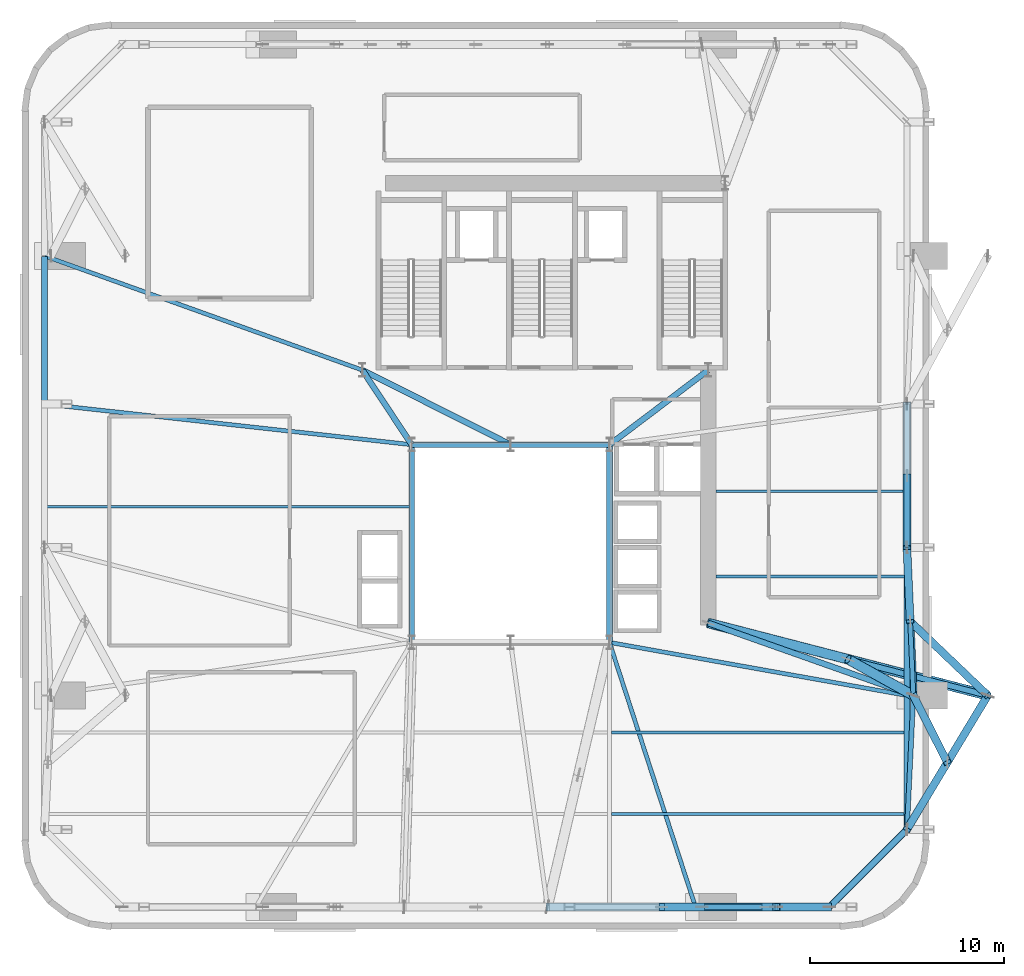
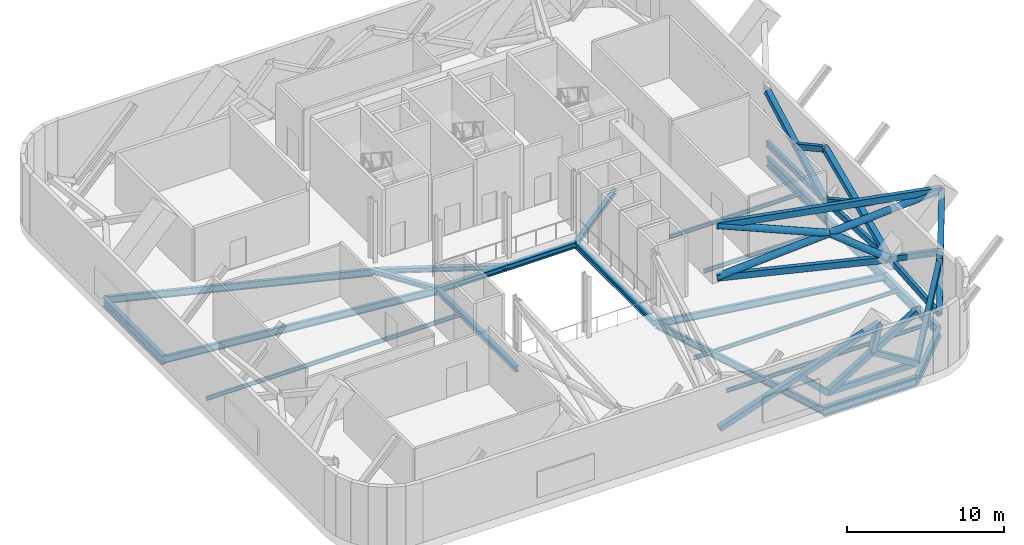
# One storey, part 4 of 14: 23 members, 22 beams.
"""IFC4 building model written with IfcOpenShell, lengths in metres."""

from ifc_helpers import new_model, si_unit, direction, frame, origin, origin_2d, place, context, subcontext, project, spatial, hollow_rectangle, hollow_circle, i_section, extrude, source, transform, mapped, material, material_profile, profile_set, type_object, element, save


model = new_model("IFC4")

# Units and contexts
model_context = context("Model", 3, precision=1e-05, world=origin(), true_north=direction((0.0, 1.0)))
body_context = subcontext(model_context, "Body", "Model", "MODEL_VIEW")
ifc_project = project(units=[si_unit("LENGTHUNIT", "METRE"), si_unit("AREAUNIT", "SQUARE_METRE"), si_unit("VOLUMEUNIT", "CUBIC_METRE"), si_unit("PLANEANGLEUNIT", "RADIAN"), si_unit("MASSUNIT", "GRAM", prefix="KILO")], contexts=[model_context])

# Site, building, storey
site_placement = place(None, origin())
site = spatial("IfcSite", under=ifc_project, at=site_placement, CompositionType="ELEMENT")
building_placement = place(site_placement, origin())
building = spatial("IfcBuilding", under=site, at=building_placement, Name="Vardaveli Station Tower", CompositionType="ELEMENT")
storey_placement = place(building_placement, frame((0.0, 0.0, 237.300048828125)))
storey = spatial("IfcBuildingStorey", under=building, at=storey_placement, Name="L61", CompositionType="ELEMENT", Elevation=237.300048828125)

# Beams
ifc_material_1 = material(Name="Structural steel S355J2", Category="steel")
ifc_material_profile_1 = material_profile(ifc_material_1, i_section(OverallWidth=0.300048828125, OverallDepth=0.449951171875, WebThickness=0.013916015625, FlangeThickness=0.02587890625, FilletRadius=0.027099609375, at=origin_2d()), Name="HEB 450")
ifc_profile_set_1 = profile_set([ifc_material_profile_1], Name="Structural steel S355J2")
beam_type_1 = type_object("IfcBeamType", Name="BM-HEB450", PredefinedType="BEAM", material=ifc_profile_set_1)
shared_shape_1 = source(origin(), body_context, "Body", "SweptSolid", [
    extrude(i_section(OverallWidth=0.300048828125, OverallDepth=0.449951171875, WebThickness=0.013916015625, FlangeThickness=0.02587890625, FilletRadius=0.027099609375, at=origin_2d()), origin(), (0.0, 0.0, 1.0), 5.06005859375),
])
beam_1_placement = place(storey_placement, frame((36.280029296875, 26.800048828125, -0.875), z_axis=(-1.0, 0.0, 0.0), x_axis=(0.0, -1.0, 0.0)))
element("IfcBeam", 1, at=beam_1_placement, inside=storey, type_object=beam_type_1, Name="ABM-L61-05", PredefinedType="BEAM", context=body_context, shape_type="MappedRepresentation", body=[
    mapped(shared_shape_1, transform((0.0, 0.0, 0.0), scale=1.0)),
])
shared_shape_2 = source(origin(), body_context, "Body", "SweptSolid", [
    extrude(i_section(OverallWidth=0.300048828125, OverallDepth=0.449951171875, WebThickness=0.013916015625, FlangeThickness=0.02587890625, FilletRadius=0.027099609375, at=origin_2d()), origin(), (0.0, 0.0, 1.0), 5.059814453125),
])
beam_2_placement = place(storey_placement, frame((41.3798828125, 26.800048828125, -0.875), z_axis=(-1.0, 0.0, 0.0), x_axis=(0.0, -1.0, 0.0)))
element("IfcBeam", 2, at=beam_2_placement, inside=storey, type_object=beam_type_1, Name="ABM-L61-04", PredefinedType="BEAM", context=body_context, shape_type="MappedRepresentation", body=[
    mapped(shared_shape_2, transform((0.0, 0.0, 0.0), scale=1.0)),
])
shared_shape_3 = source(origin(), body_context, "Body", "SweptSolid", [
    extrude(i_section(OverallWidth=0.300048828125, OverallDepth=0.449951171875, WebThickness=0.013916015625, FlangeThickness=0.02587890625, FilletRadius=0.027099609375, at=origin_2d()), origin(), (0.0, 0.0, 1.0), 10.159912109375),
])
for number, where, z_axis, x_axis, name in (
    (3, (41.39990234375, 16.6201171875, -0.875), (0.0, 1.0, 0.0), (-1.0, 0.0, 0.0), "ABM-L61-03"),
    (4, (31.199951171875, 26.780029296875, -0.875), (0.0, -1.0, 0.0), (1.0, 0.0, 0.0), "ABM-L61-06"),
):
    element("IfcBeam", number, at=place(storey_placement, frame(where, z_axis=z_axis, x_axis=x_axis)), inside=storey, type_object=beam_type_1, Name=name, PredefinedType="BEAM", context=body_context, shape_type="MappedRepresentation", body=[
        mapped(shared_shape_3, transform((0.0, 0.0, 0.0), scale=1.0)),
    ])
ifc_material_profile_2 = material_profile(ifc_material_1, i_section(OverallWidth=0.300048828125, OverallDepth=0.360107421875, WebThickness=0.012451171875, FlangeThickness=0.0224609375, FilletRadius=0.027099609375, at=origin_2d()), Name="HEB 360")
ifc_profile_set_2 = profile_set([ifc_material_profile_2], Name="Structural steel S355J2")
beam_type_2 = type_object("IfcBeamType", Name="BM-HEB360", PredefinedType="BEAM", material=ifc_profile_set_2)
shared_shape_4 = source(origin(), body_context, "Body", "SweptSolid", [
    extrude(i_section(OverallWidth=0.300048828125, OverallDepth=0.360107421875, WebThickness=0.012451171875, FlangeThickness=0.0224609375, FilletRadius=0.027099609375, at=origin_2d()), origin(), (0.0, 0.0, 1.0), 4.577880859375),
])
beam_3_placement = place(storey_placement, frame((31.18896484375, 26.816650390625, -0.830078125), z_axis=(-0.55218702139, 0.833720272879, 0.0), x_axis=(-0.833720272879, -0.55218702139, 0.0)))
element("IfcBeam", 5, at=beam_3_placement, inside=storey, type_object=beam_type_2, Name="CBM-L61-01", PredefinedType="BEAM", context=body_context, shape_type="MappedRepresentation", body=[
    mapped(shared_shape_4, transform((0.0, 0.0, 0.0), scale=1.0)),
])
shared_shape_5 = source(origin(), body_context, "Body", "SweptSolid", [
    extrude(i_section(OverallWidth=0.300048828125, OverallDepth=0.360107421875, WebThickness=0.012451171875, FlangeThickness=0.0224609375, FilletRadius=0.027099609375, at=origin_2d()), origin(), (0.0, 0.0, 1.0), 6.35009765625),
])
beam_4_placement = place(storey_placement, frame((41.416015625, 26.81201171875, -0.830078125), z_axis=(0.798118337722, 0.602500721154, 0.0), x_axis=(-0.602500721154, 0.798118337722, 0.0)))
element("IfcBeam", 6, at=beam_4_placement, inside=storey, type_object=beam_type_2, Name="CBM-L61-02", PredefinedType="BEAM", context=body_context, shape_type="MappedRepresentation", body=[
    mapped(shared_shape_5, transform((0.0, 0.0, 0.0), scale=1.0)),
])
shared_shape_6 = source(origin(), body_context, "Body", "SweptSolid", [
    extrude(i_section(OverallWidth=0.300048828125, OverallDepth=0.360107421875, WebThickness=0.012451171875, FlangeThickness=0.0224609375, FilletRadius=0.027099609375, at=origin_2d()), origin(), (0.0, 0.0, 1.0), 8.524169921875),
])
beam_5_placement = place(storey_placement, frame((28.66796875, 30.64111328125, -0.830078125), z_axis=(0.893255584708, -0.449549174605, 0.0), x_axis=(0.449549174605, 0.893255584708, 0.0)))
element("IfcBeam", 7, at=beam_5_placement, inside=storey, type_object=beam_type_2, Name="CBM-L61-03", PredefinedType="BEAM", context=body_context, shape_type="MappedRepresentation", body=[
    mapped(shared_shape_6, transform((0.0, 0.0, 0.0), scale=1.0)),
])
ifc_material_2 = material(Name="Structural steel S460M", Category="steel")
ifc_material_profile_3 = material_profile(ifc_material_2, i_section(OverallWidth=0.303955078125, OverallDepth=0.716064453125, WebThickness=0.02099609375, FlangeThickness=0.0400390625, FilletRadius=0.027099609375, at=origin_2d()), Name="HEM 700")
ifc_profile_set_3 = profile_set([ifc_material_profile_3], Name="Structural steel S460M")
beam_type_3 = type_object("IfcBeamType", Name="BM-HEM700", PredefinedType="BEAM", material=ifc_profile_set_3)
shared_shape_7 = source(origin(), body_context, "Body", "SweptSolid", [
    extrude(i_section(OverallWidth=0.303955078125, OverallDepth=0.716064453125, WebThickness=0.02099609375, FlangeThickness=0.0400390625, FilletRadius=0.027099609375, at=origin_2d()), origin(), (0.0, 0.0, 1.0), 7.60009765625),
])
for number, where, z_axis, x_axis, name in (
    (8, (56.75, 13.8798828125, -1.008056640625), (0.0, 1.0, 0.0), (-1.0, 0.0, 0.0), "RBM-L61-07"),
    (9, (12.25, 36.52001953125, -1.008056640625), (0.0, -1.0, 0.0), (1.0, 0.0, 0.0), "RBM-L61-19"),
):
    element("IfcBeam", number, at=place(storey_placement, frame(where, z_axis=z_axis, x_axis=x_axis)), inside=storey, type_object=beam_type_3, Name=name, PredefinedType="BEAM", context=body_context, shape_type="MappedRepresentation", body=[
        mapped(shared_shape_7, transform((0.0, 0.0, 0.0), scale=1.0)),
    ])
shared_shape_8 = source(origin(), body_context, "Body", "SweptSolid", [
    extrude(i_section(OverallWidth=0.303955078125, OverallDepth=0.716064453125, WebThickness=0.02099609375, FlangeThickness=0.0400390625, FilletRadius=0.027099609375, at=origin_2d()), origin(), (0.0, 0.0, 1.0), 7.35986328125),
])
beam_6_placement = place(storey_placement, frame((56.75, 21.52001953125, -1.008056640625), z_axis=(0.0, 1.0, 0.0), x_axis=(-1.0, 0.0, 0.0)))
element("IfcBeam", 10, at=beam_6_placement, inside=storey, type_object=beam_type_3, Name="RBM-L61-08", PredefinedType="BEAM", context=body_context, shape_type="MappedRepresentation", body=[
    mapped(shared_shape_8, transform((0.0, 0.0, 0.0), scale=1.0)),
])
shared_shape_9 = source(origin(), body_context, "Body", "SweptSolid", [
    extrude(i_section(OverallWidth=0.303955078125, OverallDepth=0.716064453125, WebThickness=0.02099609375, FlangeThickness=0.0400390625, FilletRadius=0.027099609375, at=origin_2d()), origin(), (0.0, 0.0, 1.0), 6.869873046875),
])
beam_7_placement = place(storey_placement, frame((45.860107421875, 2.949951171875, -1.008056640625), z_axis=(1.0, 0.0, 0.0), x_axis=(0.0, 1.0, 0.0)))
element("IfcBeam", 11, at=beam_7_placement, inside=storey, type_object=beam_type_3, Name="RBM-L61-04", PredefinedType="BEAM", context=body_context, shape_type="MappedRepresentation", body=[
    mapped(shared_shape_9, transform((0.0, 0.0, 0.0), scale=1.0)),
])
shared_shape_10 = source(origin(), body_context, "Body", "SweptSolid", [
    extrude(i_section(OverallWidth=0.303955078125, OverallDepth=0.716064453125, WebThickness=0.02099609375, FlangeThickness=0.0400390625, FilletRadius=0.027099609375, at=origin_2d()), origin(), (0.0, 0.0, 1.0), 5.61669921875),
])
beam_8_placement = place(storey_placement, frame((52.76416015625, 2.964111328125, -1.008056640625), z_axis=(0.707106781187, 0.707106781187, 0.0), x_axis=(-0.707106781187, 0.707106781187, 0.0)))
element("IfcBeam", 12, at=beam_8_placement, inside=storey, type_object=beam_type_3, Name="RBM-L61-05", PredefinedType="BEAM", context=body_context, shape_type="MappedRepresentation", body=[
    mapped(shared_shape_10, transform((0.0, 0.0, 0.0), scale=1.0)),
])
shared_shape_11 = source(origin(), body_context, "Body", "SweptSolid", [
    extrude(i_section(OverallWidth=0.303955078125, OverallDepth=0.716064453125, WebThickness=0.02099609375, FlangeThickness=0.0400390625, FilletRadius=0.027099609375, at=origin_2d()), origin(), (0.0, 0.0, 1.0), 6.8701171875),
])
beam_9_placement = place(storey_placement, frame((56.75, 6.969970703125, -1.008056640625), z_axis=(0.0, 1.0, 0.0), x_axis=(-1.0, 0.0, 0.0)))
element("IfcBeam", 13, at=beam_9_placement, inside=storey, type_object=beam_type_3, Name="RBM-L61-06", PredefinedType="BEAM", context=body_context, shape_type="MappedRepresentation", body=[
    mapped(shared_shape_11, transform((0.0, 0.0, 0.0), scale=1.0)),
])
ifc_material_profile_4 = material_profile(ifc_material_1, i_section(OverallWidth=0.2099609375, OverallDepth=0.550048828125, WebThickness=0.010986328125, FlangeThickness=0.01708984375, FilletRadius=0.02392578125, at=origin_2d()), Name="IPE 550")
ifc_profile_set_4 = profile_set([ifc_material_profile_4], Name="Structural steel S355J2")
beam_type_4 = type_object("IfcBeamType", Name="BM-IPE550", PredefinedType="BEAM", material=ifc_profile_set_4)
shared_shape_12 = source(origin(), body_context, "Body", "SweptSolid", [
    extrude(i_section(OverallWidth=0.2099609375, OverallDepth=0.550048828125, WebThickness=0.010986328125, FlangeThickness=0.01708984375, FilletRadius=0.02392578125, at=origin_2d()), origin(), (0.0, 0.0, 1.0), 14.31396484375),
])
beam_10_placement = place(storey_placement, frame((45.833740234375, 2.968994140625, -0.925048828125), z_axis=(-0.309311678023, 0.950960717295, 0.0), x_axis=(-0.950960717295, -0.309311678023, 0.0)))
element("IfcBeam", 14, at=beam_10_placement, inside=storey, type_object=beam_type_4, Name="GBM-L61-04", PredefinedType="BEAM", context=body_context, shape_type="MappedRepresentation", body=[
    mapped(shared_shape_12, transform((0.0, 0.0, 0.0), scale=1.0)),
])
shared_shape_13 = source(origin(), body_context, "Body", "SweptSolid", [
    extrude(i_section(OverallWidth=0.2099609375, OverallDepth=0.550048828125, WebThickness=0.010986328125, FlangeThickness=0.01708984375, FilletRadius=0.02392578125, at=origin_2d()), origin(), (0.0, 0.0, 1.0), 15.552490234375),
])
beam_11_placement = place(storey_placement, frame((56.730224609375, 13.863525390625, -0.925048828125), z_axis=(-0.984439991578, 0.1757210943, 0.0), x_axis=(-0.1757210943, -0.984439991578, 0.0)))
element("IfcBeam", 15, at=beam_11_placement, inside=storey, type_object=beam_type_4, Name="GBM-L61-05", PredefinedType="BEAM", context=body_context, shape_type="MappedRepresentation", body=[
    mapped(shared_shape_13, transform((0.0, 0.0, 0.0), scale=1.0)),
])
shared_shape_14 = source(origin(), body_context, "Body", "SweptSolid", [
    extrude(i_section(OverallWidth=0.2099609375, OverallDepth=0.550048828125, WebThickness=0.010986328125, FlangeThickness=0.01708984375, FilletRadius=0.02392578125, at=origin_2d()), origin(), (0.0, 0.0, 1.0), 19.026123046875),
])
beam_12_placement = place(storey_placement, frame((12.269775390625, 28.897705078125, -0.925048828125), z_axis=(0.993916552721, -0.110135762707, 0.0), x_axis=(0.110135762707, 0.993916552721, 0.0)))
element("IfcBeam", 16, at=beam_12_placement, inside=storey, type_object=beam_type_4, Name="GBM-L61-08", PredefinedType="BEAM", context=body_context, shape_type="MappedRepresentation", body=[
    mapped(shared_shape_14, transform((0.0, 0.0, 0.0), scale=1.0)),
])
shared_shape_15 = source(origin(), body_context, "Body", "SweptSolid", [
    extrude(i_section(OverallWidth=0.2099609375, OverallDepth=0.550048828125, WebThickness=0.010986328125, FlangeThickness=0.01708984375, FilletRadius=0.02392578125, at=origin_2d()), origin(), (0.0, 0.0, 1.0), 17.385498046875),
])
beam_13_placement = place(storey_placement, frame((12.268798828125, 36.533203125, -0.925048828125), z_axis=(0.941143134401, -0.338008284766, 0.0), x_axis=(0.338008284766, 0.941143134401, 0.0)))
element("IfcBeam", 17, at=beam_13_placement, inside=storey, type_object=beam_type_4, Name="GBM-L61-12", PredefinedType="BEAM", context=body_context, shape_type="MappedRepresentation", body=[
    mapped(shared_shape_15, transform((0.0, 0.0, 0.0), scale=1.0)),
])
ifc_material_profile_5 = material_profile(ifc_material_1, i_section(OverallWidth=0.14990234375, OverallDepth=0.300048828125, WebThickness=0.007080078125, FlangeThickness=0.0107421875, FilletRadius=0.014892578125, at=origin_2d()), Name="IPE 300")
ifc_profile_set_5 = profile_set([ifc_material_profile_5], Name="Structural steel S355J2")
beam_type_5 = type_object("IfcBeamType", Name="BM-IPE300", PredefinedType="JOIST", material=ifc_profile_set_5)
shared_shape_16 = source(origin(), body_context, "Body", "SweptSolid", [
    extrude(i_section(OverallWidth=0.14990234375, OverallDepth=0.300048828125, WebThickness=0.007080078125, FlangeThickness=0.0107421875, FilletRadius=0.014892578125, at=origin_2d()), origin(), (0.0, 0.0, 1.0), 15.197998046875),
])
for number, where, z_axis, x_axis, name in (
    (18, (41.511962890625, 7.75, -0.800048828125), (1.0, 0.0, 0.0), (0.0, 1.0, 0.0), "SJ-L61-S02"),
    (19, (41.511962890625, 11.949951171875, -0.800048828125), (1.0, 0.0, 0.0), (0.0, 1.0, 0.0), "SJ-L61-S04"),
):
    element("IfcBeam", number, at=place(storey_placement, frame(where, z_axis=z_axis, x_axis=x_axis)), inside=storey, type_object=beam_type_5, Name=name, PredefinedType="JOIST", context=body_context, shape_type="MappedRepresentation", body=[
        mapped(shared_shape_16, transform((0.0, 0.0, 0.0), scale=1.0)),
    ])
shared_shape_17 = source(origin(), body_context, "Body", "SweptSolid", [
    extrude(i_section(OverallWidth=0.14990234375, OverallDepth=0.300048828125, WebThickness=0.007080078125, FlangeThickness=0.0107421875, FilletRadius=0.014892578125, at=origin_2d()), origin(), (0.0, 0.0, 1.0), 18.7978515625),
])
beam_14_placement = place(storey_placement, frame((12.2900390625, 23.60009765625, -0.800048828125), z_axis=(1.0, 0.0, 0.0), x_axis=(0.0, 1.0, 0.0)))
element("IfcBeam", 20, at=beam_14_placement, inside=storey, type_object=beam_type_5, Name="SJ-L61-W06", PredefinedType="JOIST", context=body_context, shape_type="MappedRepresentation", body=[
    mapped(shared_shape_17, transform((0.0, 0.0, 0.0), scale=1.0)),
])
shared_shape_18 = source(origin(), body_context, "Body", "SweptSolid", [
    extrude(i_section(OverallWidth=0.14990234375, OverallDepth=0.300048828125, WebThickness=0.007080078125, FlangeThickness=0.0107421875, FilletRadius=0.014892578125, at=origin_2d()), origin(), (0.0, 0.0, 1.0), 9.804931640625),
])
for number, where, z_axis, x_axis, name in (
    (21, (46.905029296875, 20.0, -0.800048828125), (1.0, 0.0, 0.0), (0.0, 1.0, 0.0), "SJ-L61-E07"),
    (22, (46.905029296875, 24.39990234375, -0.800048828125), (1.0, 0.0, 0.0), (0.0, 1.0, 0.0), "SJ-L61-E08"),
):
    element("IfcBeam", number, at=place(storey_placement, frame(where, z_axis=z_axis, x_axis=x_axis)), inside=storey, type_object=beam_type_5, Name=name, PredefinedType="JOIST", context=body_context, shape_type="MappedRepresentation", body=[
        mapped(shared_shape_18, transform((0.0, 0.0, 0.0), scale=1.0)),
    ])

# Members
ifc_material_profile_6 = material_profile(ifc_material_2, hollow_rectangle(XDim=0.25, YDim=0.449951171875, WallThickness=0.01611328125, at=origin_2d()), Name="RHS 450x250x16")
ifc_profile_set_6 = profile_set([ifc_material_profile_6], Name="Structural steel S460M")
member_type_1 = type_object("IfcMemberType", Name="MEM-CH-RHS450", PredefinedType="CHORD", material=ifc_profile_set_6)
shared_shape_19 = source(origin(), body_context, "Body", "SweptSolid", [
    extrude(hollow_rectangle(XDim=0.25, YDim=0.449951171875, WallThickness=0.01611328125, at=origin_2d()), origin(), (0.0, 0.0, 1.0), 7.39990234375),
])
member_1_placement = place(storey_placement, frame((56.75, 21.5, 0.349853515625), z_axis=(0.0, 1.0, 0.0), x_axis=(-1.0, 0.0, 0.0)))
element("IfcMember", 23, at=member_1_placement, inside=storey, type_object=member_type_1, Name="BLT-L61-CH-07", PredefinedType="CHORD", context=body_context, shape_type="MappedRepresentation", body=[
    mapped(shared_shape_19, transform((0.0, 0.0, 0.0), scale=1.0)),
])
ifc_material_profile_7 = material_profile(ifc_material_2, hollow_rectangle(XDim=0.39990234375, YDim=0.39990234375, WallThickness=0.02001953125, at=origin_2d()), Name="RHS 400x400x20")
ifc_profile_set_7 = profile_set([ifc_material_profile_7], Name="Structural steel S460M")
member_type_2 = type_object("IfcMemberType", Name="MEM-BR-RHS400", PredefinedType="BRACE", material=ifc_profile_set_7)
shared_shape_20 = source(origin(), body_context, "Body", "SweptSolid", [
    extrude(hollow_rectangle(XDim=0.39990234375, YDim=0.39990234375, WallThickness=0.02001953125, at=origin_2d()), origin(), (0.0, 0.0, 1.0), 8.435791015625),
])
member_2_placement = place(storey_placement, frame((56.75, 21.5, 0.349853515625), z_axis=(0.0, 0.877210039359, 0.480106807751), x_axis=(-1.0, 0.0, 0.0)))
element("IfcMember", 24, at=member_2_placement, inside=storey, type_object=member_type_2, Name="BLT-L61-D1-07", PredefinedType="BRACE", context=body_context, shape_type="MappedRepresentation", body=[
    mapped(shared_shape_20, transform((0.0, 0.0, 0.0), scale=1.0)),
])
shared_shape_21 = source(origin(), body_context, "Body", "SweptSolid", [
    extrude(hollow_rectangle(XDim=0.39990234375, YDim=0.39990234375, WallThickness=0.02001953125, at=origin_2d()), origin(), (0.0, 0.0, 1.0), 4.2177734375),
])
member_3_placement = place(storey_placement, frame((56.75, 25.199951171875, 2.375), z_axis=(0.0, -0.877222227994, 0.480084537049), x_axis=(1.0, 0.0, 0.0)))
element("IfcMember", 25, at=member_3_placement, inside=storey, type_object=member_type_2, Name="BLT-L61-D2B-07", PredefinedType="BRACE", context=body_context, shape_type="MappedRepresentation", body=[
    mapped(shared_shape_21, transform((0.0, 0.0, 0.0), scale=1.0)),
])
shared_shape_22 = source(origin(), body_context, "Body", "SweptSolid", [
    extrude(hollow_rectangle(XDim=0.39990234375, YDim=0.39990234375, WallThickness=0.02001953125, at=origin_2d()), origin(), (0.0, 0.0, 1.0), 12.483642578125),
])
member_4_placement = place(storey_placement, frame((38.199951171875, 2.949951171875, 0.349853515625), z_axis=(0.945909769038, 0.0, 0.32442982113), x_axis=(0.0, 1.0, 0.0)))
element("IfcMember", 26, at=member_4_placement, inside=storey, type_object=member_type_2, Name="BLT-L61-D1-03", PredefinedType="BRACE", context=body_context, shape_type="MappedRepresentation", body=[
    mapped(shared_shape_22, transform((0.0, 0.0, 0.0), scale=1.0)),
])
shared_shape_23 = source(origin(), body_context, "Body", "SweptSolid", [
    extrude(hollow_rectangle(XDim=0.39990234375, YDim=0.39990234375, WallThickness=0.02001953125, at=origin_2d()), origin(), (0.0, 0.0, 1.0), 2.89404296875),
])
member_5_placement = place(storey_placement, frame((46.171630859375, 2.949951171875, 0.349853515625), z_axis=(-0.714366327095, 0.0, 0.69977192764), x_axis=(0.0, -1.0, 0.0)))
element("IfcMember", 27, at=member_5_placement, inside=storey, type_object=member_type_2, Name="BLT-L61-D2A-03", PredefinedType="BRACE", context=body_context, shape_type="MappedRepresentation", body=[
    mapped(shared_shape_23, transform((0.0, 0.0, 0.0), scale=1.0)),
])
shared_shape_24 = source(origin(), body_context, "Body", "SweptSolid", [
    extrude(hollow_rectangle(XDim=0.25, YDim=0.449951171875, WallThickness=0.01611328125, at=origin_2d()), origin(), (0.0, 0.0, 1.0), 6.578369140625),
])
member_6_placement = place(storey_placement, frame((46.171630859375, 2.949951171875, 0.349853515625), z_axis=(1.0, 0.0, 0.0), x_axis=(0.0, 1.0, 0.0)))
element("IfcMember", 28, at=member_6_placement, inside=storey, type_object=member_type_1, Name="BLT-L61-CH-04", PredefinedType="CHORD", context=body_context, shape_type="MappedRepresentation", body=[
    mapped(shared_shape_24, transform((0.0, 0.0, 0.0), scale=1.0)),
])
shared_shape_25 = source(origin(), body_context, "Body", "SweptSolid", [
    extrude(hollow_rectangle(XDim=0.39990234375, YDim=0.39990234375, WallThickness=0.02001953125, at=origin_2d()), origin(), (0.0, 0.0, 1.0), 7.72509765625),
])
member_7_placement = place(storey_placement, frame((46.171630859375, 2.949951171875, 0.349853515625), z_axis=(0.851553045358, 0.0, 0.524268453125), x_axis=(0.0, 1.0, 0.0)))
element("IfcMember", 29, at=member_7_placement, inside=storey, type_object=member_type_2, Name="BLT-L61-D1-04", PredefinedType="BRACE", context=body_context, shape_type="MappedRepresentation", body=[
    mapped(shared_shape_25, transform((0.0, 0.0, 0.0), scale=1.0)),
])
shared_shape_26 = source(origin(), body_context, "Body", "SweptSolid", [
    extrude(hollow_rectangle(XDim=0.39990234375, YDim=0.39990234375, WallThickness=0.02001953125, at=origin_2d()), origin(), (0.0, 0.0, 1.0), 3.86279296875),
])
member_8_placement = place(storey_placement, frame((52.75, 2.949951171875, 0.349853515625), z_axis=(-0.851547622883, 0.0, 0.524277260581), x_axis=(0.0, -1.0, 0.0)))
element("IfcMember", 30, at=member_8_placement, inside=storey, type_object=member_type_2, Name="BLT-L61-D2A-04", PredefinedType="BRACE", context=body_context, shape_type="MappedRepresentation", body=[
    mapped(shared_shape_26, transform((0.0, 0.0, 0.0), scale=1.0)),
])
shared_shape_27 = source(origin(), body_context, "Body", "SweptSolid", [
    extrude(hollow_rectangle(XDim=0.39990234375, YDim=0.39990234375, WallThickness=0.02001953125, at=origin_2d()), origin(), (0.0, 0.0, 1.0), 2.09765625),
])
member_9_placement = place(storey_placement, frame((49.460693359375, 2.949951171875, 2.375), z_axis=(0.261058528046, 0.0, 0.965322974416), x_axis=(0.0, 1.0, 0.0)))
element("IfcMember", 31, at=member_9_placement, inside=storey, type_object=member_type_2, Name="BLT-L61-D2B-04", PredefinedType="BRACE", context=body_context, shape_type="MappedRepresentation", body=[
    mapped(shared_shape_27, transform((0.0, 0.0, 0.0), scale=1.0)),
])
shared_shape_28 = source(origin(), body_context, "Body", "SweptSolid", [
    extrude(hollow_rectangle(XDim=0.25, YDim=0.449951171875, WallThickness=0.01611328125, at=origin_2d()), origin(), (0.0, 0.0, 1.0), 6.918212890625),
])
member_10_placement = place(storey_placement, frame((56.75, 6.949951171875, 0.349853515625), z_axis=(0.047923955643, 0.998850987122, 0.0), x_axis=(-0.998850987122, 0.047923955643, 0.0)))
element("IfcMember", 32, at=member_10_placement, inside=storey, type_object=member_type_1, Name="BLT-L61-CH-05", PredefinedType="CHORD", context=body_context, shape_type="MappedRepresentation", body=[
    mapped(shared_shape_28, transform((0.0, 0.0, 0.0), scale=1.0)),
])
shared_shape_29 = source(origin(), body_context, "Body", "SweptSolid", [
    extrude(hollow_rectangle(XDim=0.39990234375, YDim=0.39990234375, WallThickness=0.02001953125, at=origin_2d()), origin(), (0.0, 0.0, 1.0), 9.029296875),
])
member_11_placement = place(storey_placement, frame((56.75, 6.949951171875, 0.349853515625), z_axis=(0.461656301729, 0.765299283363, 0.448542602166), x_axis=(-0.856267946207, 0.516531900563, 0.0)))
element("IfcMember", 33, at=member_11_placement, inside=storey, type_object=member_type_2, Name="BLT-L61-D1-05", PredefinedType="BRACE", context=body_context, shape_type="MappedRepresentation", body=[
    mapped(shared_shape_29, transform((0.0, 0.0, 0.0), scale=1.0)),
])
shared_shape_30 = source(origin(), body_context, "Body", "SweptSolid", [
    extrude(hollow_rectangle(XDim=0.39990234375, YDim=0.39990234375, WallThickness=0.02001953125, at=origin_2d()), origin(), (0.0, 0.0, 1.0), 4.37158203125),
])
member_12_placement = place(storey_placement, frame((57.08154296875, 13.860107421875, 0.349853515625), z_axis=(0.400927479956, -0.790350424341, 0.463253022181), x_axis=(0.89181581989, 0.452398655384, 0.0)))
element("IfcMember", 34, at=member_12_placement, inside=storey, type_object=member_type_2, Name="BLT-L61-D2A-05", PredefinedType="BRACE", context=body_context, shape_type="MappedRepresentation", body=[
    mapped(shared_shape_30, transform((0.0, 0.0, 0.0), scale=1.0)),
])
shared_shape_31 = source(origin(), body_context, "Body", "SweptSolid", [
    extrude(hollow_rectangle(XDim=0.39990234375, YDim=0.39990234375, WallThickness=0.02001953125, at=origin_2d()), origin(), (0.0, 0.0, 1.0), 4.5146484375),
])
member_13_placement = place(storey_placement, frame((58.834228515625, 10.405029296875, 2.375), z_axis=(-0.461661900604, -0.765308564759, 0.448521003117), x_axis=(0.856267946207, -0.516531900563, 0.0)))
element("IfcMember", 35, at=member_13_placement, inside=storey, type_object=member_type_2, Name="BLT-L61-D2B-05", PredefinedType="BRACE", context=body_context, shape_type="MappedRepresentation", body=[
    mapped(shared_shape_31, transform((0.0, 0.0, 0.0), scale=1.0)),
])
shared_shape_32 = source(origin(), body_context, "Body", "SweptSolid", [
    extrude(hollow_rectangle(XDim=0.25, YDim=0.449951171875, WallThickness=0.01611328125, at=origin_2d()), origin(), (0.0, 0.0, 1.0), 7.64697265625),
])
member_14_placement = place(storey_placement, frame((57.08154296875, 13.860107421875, 0.349853515625), z_axis=(-0.043355481573, 0.999059709035, 0.0), x_axis=(-0.999059709035, -0.043355481573, 0.0)))
element("IfcMember", 36, at=member_14_placement, inside=storey, type_object=member_type_1, Name="BLT-L61-CH-06", PredefinedType="CHORD", context=body_context, shape_type="MappedRepresentation", body=[
    mapped(shared_shape_32, transform((0.0, 0.0, 0.0), scale=1.0)),
])
shared_shape_33 = source(origin(), body_context, "Body", "SweptSolid", [
    extrude(hollow_rectangle(XDim=0.39990234375, YDim=0.39990234375, WallThickness=0.02001953125, at=origin_2d()), origin(), (0.0, 0.0, 1.0), 8.6533203125),
])
member_15_placement = place(storey_placement, frame((57.08154296875, 13.860107421875, 0.349853515625), z_axis=(-0.038313749646, 0.882880830382, 0.468031511687), x_axis=(-0.999059709035, -0.043355481573, 0.0)))
element("IfcMember", 37, at=member_15_placement, inside=storey, type_object=member_type_2, Name="BLT-L61-D1-06", PredefinedType="BRACE", context=body_context, shape_type="MappedRepresentation", body=[
    mapped(shared_shape_33, transform((0.0, 0.0, 0.0), scale=1.0)),
])
shared_shape_34 = source(origin(), body_context, "Body", "SweptSolid", [
    extrude(hollow_rectangle(XDim=0.39990234375, YDim=0.39990234375, WallThickness=0.02001953125, at=origin_2d()), origin(), (0.0, 0.0, 1.0), 4.326904296875),
])
member_16_placement = place(storey_placement, frame((56.75, 21.5, 0.349853515625), z_axis=(0.038312289417, -0.882875393965, 0.468041886172), x_axis=(0.999059769044, 0.043354098753, 0.0)))
element("IfcMember", 38, at=member_16_placement, inside=storey, type_object=member_type_2, Name="BLT-L61-D2A-06", PredefinedType="BRACE", context=body_context, shape_type="MappedRepresentation", body=[
    mapped(shared_shape_34, transform((0.0, 0.0, 0.0), scale=1.0)),
])
shared_shape_35 = source(origin(), body_context, "Body", "SweptSolid", [
    extrude(hollow_rectangle(XDim=0.39990234375, YDim=0.39990234375, WallThickness=0.02001953125, at=origin_2d()), origin(), (0.0, 0.0, 1.0), 5.891845703125),
])
member_17_placement = place(storey_placement, frame((56.915771484375, 17.679931640625, 2.375), z_axis=(0.679370659398, -0.648333841838, 0.343684065206), x_axis=(0.69038863542, 0.72343868578, 0.0)))
element("IfcMember", 39, at=member_17_placement, inside=storey, type_object=member_type_2, Name="BLT-L61-D2B-06", PredefinedType="BRACE", context=body_context, shape_type="MappedRepresentation", body=[
    mapped(shared_shape_35, transform((0.0, 0.0, 0.0), scale=1.0)),
])
ifc_material_profile_8 = material_profile(ifc_material_2, hollow_rectangle(XDim=0.35009765625, YDim=0.35009765625, WallThickness=0.01611328125, at=origin_2d()), Name="RHS 350x350x16")
ifc_profile_set_8 = profile_set([ifc_material_profile_8], Name="Structural steel S460M")
member_type_3 = type_object("IfcMemberType", Name="MEM-ST-RHS350", PredefinedType="STRUT", material=ifc_profile_set_8)
shared_shape_36 = source(origin(), body_context, "Body", "SweptSolid", [
    extrude(hollow_rectangle(XDim=0.35009765625, YDim=0.35009765625, WallThickness=0.01611328125, at=origin_2d()), origin(), (0.0, 0.0, 1.0), 6.957275390625),
])
member_18_placement = place(storey_placement, frame((52.75, 2.949951171875, 0.349853515625), z_axis=(0.574942376987, 0.574942376987, 0.582136175039), x_axis=(-0.707106781187, 0.707106781187, 0.0)))
element("IfcMember", 40, at=member_18_placement, inside=storey, type_object=member_type_3, Name="STRUT-L61-2", PredefinedType="STRUT", context=body_context, shape_type="MappedRepresentation", body=[
    mapped(shared_shape_36, transform((0.0, 0.0, 0.0), scale=1.0)),
])
ifc_material_profile_9 = material_profile(ifc_material_2, hollow_rectangle(XDim=0.300048828125, YDim=0.5, WallThickness=0.02001953125, at=origin_2d()), Name="RHS 500x300x20")
ifc_profile_set_9 = profile_set([ifc_material_profile_9], Name="Structural steel S460M")
member_type_4 = type_object("IfcMemberType", Name="MEM-CH-RHS500", PredefinedType="CHORD", material=ifc_profile_set_9)
shared_shape_37 = source(origin(), body_context, "Body", "SweptSolid", [
    extrude(hollow_rectangle(XDim=0.300048828125, YDim=0.5, WallThickness=0.02001953125, at=origin_2d()), origin(), (0.0, 0.0, 1.0), 11.22314453125),
])
member_19_placement = place(storey_placement, frame((46.5, 17.60009765625, 0.349853515625), z_axis=(0.942841244183, -0.333242236621, 0.0), x_axis=(0.333242236621, 0.942841244183, 0.0)))
element("IfcMember", 41, at=member_19_placement, inside=storey, type_object=member_type_4, Name="OUT-L61-OA3-CHB", PredefinedType="CHORD", context=body_context, shape_type="MappedRepresentation", body=[
    mapped(shared_shape_37, transform((0.0, 0.0, 0.0), scale=1.0)),
])
shared_shape_38 = source(origin(), body_context, "Body", "SweptSolid", [
    extrude(hollow_rectangle(XDim=0.300048828125, YDim=0.5, WallThickness=0.02001953125, at=origin_2d()), origin(), (0.0, 0.0, 1.0), 14.8955078125),
])
member_20_placement = place(storey_placement, frame((46.5, 17.60009765625, 4.39990234375), z_axis=(0.967966364975, -0.251079900184, 0.0), x_axis=(0.251079900184, 0.967966364975, 0.0)))
element("IfcMember", 42, at=member_20_placement, inside=storey, type_object=member_type_4, Name="OUT-L61-OA3-CHT", PredefinedType="CHORD", context=body_context, shape_type="MappedRepresentation", body=[
    mapped(shared_shape_38, transform((0.0, 0.0, 0.0), scale=1.0)),
])
ifc_material_profile_10 = material_profile(ifc_material_2, hollow_circle(Radius=0.25390625, WallThickness=0.02490234375, at=origin_2d()), Name="CHS 508x25")
ifc_profile_set_10 = profile_set([ifc_material_profile_10], Name="Structural steel S460M")
member_type_5 = type_object("IfcMemberType", Name="MEM-BR-CHS508", PredefinedType="BRACE", material=ifc_profile_set_10)
shared_shape_39 = source(origin(), body_context, "Body", "SweptSolid", [
    extrude(hollow_circle(Radius=0.25390625, WallThickness=0.02490234375, at=origin_2d()), origin(), (0.0, 0.0, 1.0), 15.436279296875),
])
member_21_placement = place(storey_placement, frame((46.5, 17.60009765625, 0.349853515625), z_axis=(0.93405590952, -0.242283898506, 0.262370101985), x_axis=(0.251079900184, 0.967966364975, 0.0)))
element("IfcMember", 43, at=member_21_placement, inside=storey, type_object=member_type_5, Name="OUT-L61-OA3-D1", PredefinedType="BRACE", context=body_context, shape_type="MappedRepresentation", body=[
    mapped(shared_shape_39, transform((0.0, 0.0, 0.0), scale=1.0)),
])
shared_shape_40 = source(origin(), body_context, "Body", "SweptSolid", [
    extrude(hollow_circle(Radius=0.25390625, WallThickness=0.02490234375, at=origin_2d()), origin(), (0.0, 0.0, 1.0), 4.35546875),
])
member_22_placement = place(storey_placement, frame((57.08154296875, 13.860107421875, 0.349853515625), z_axis=(-0.774270479385, 0.429315688237, 0.464965874647), x_axis=(-0.484922419481, -0.874557171993, 0.0)))
element("IfcMember", 44, at=member_22_placement, inside=storey, type_object=member_type_5, Name="OUT-L61-OA3-D2A", PredefinedType="BRACE", context=body_context, shape_type="MappedRepresentation", body=[
    mapped(shared_shape_40, transform((0.0, 0.0, 0.0), scale=1.0)),
])
shared_shape_41 = source(origin(), body_context, "Body", "SweptSolid", [
    extrude(hollow_circle(Radius=0.25390625, WallThickness=0.02490234375, at=origin_2d()), origin(), (0.0, 0.0, 1.0), 7.71826171875),
])
member_23_placement = place(storey_placement, frame((53.709228515625, 15.72998046875, 2.375), z_axis=(-0.934056206019, 0.242299791327, 0.262354369356), x_axis=(-0.251095256936, -0.967962381472, 0.0)))
element("IfcMember", 45, at=member_23_placement, inside=storey, type_object=member_type_5, Name="OUT-L61-OA3-D2B", PredefinedType="BRACE", context=body_context, shape_type="MappedRepresentation", body=[
    mapped(shared_shape_41, transform((0.0, 0.0, 0.0), scale=1.0)),
])

save(model, "model.ifc")
